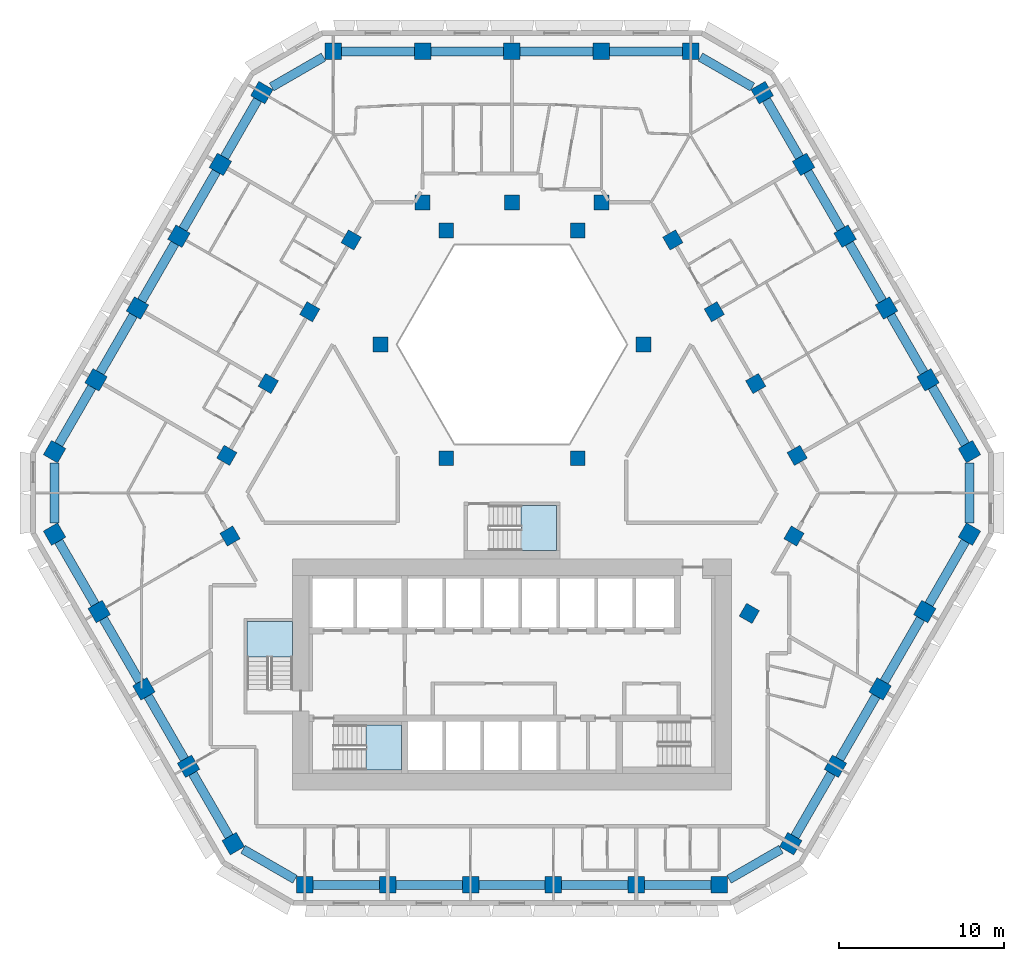
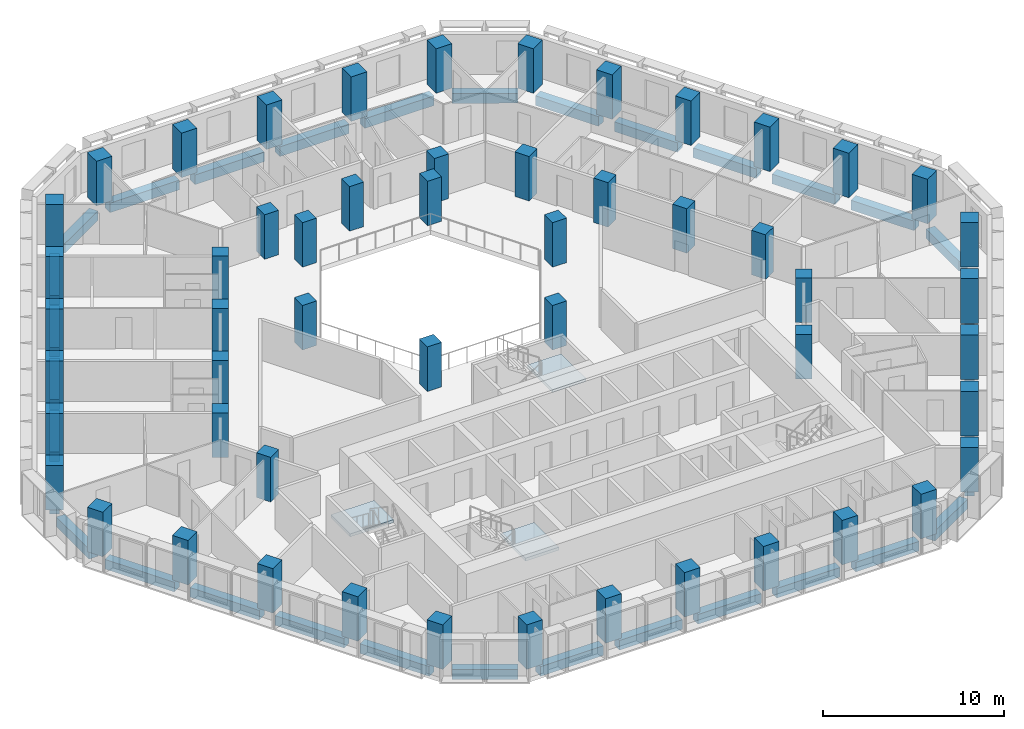
# One storey, part 1 of 15: 53 columns, 33 beams, 3 slabs, 3 elements without a shape of their own.
"""IFC4 building model written with IfcOpenShell, lengths in metres."""

import ifcopenshell
import ifcopenshell.guid

model = None  # the IFC model being written
_history = None  # IfcOwnerHistory: only IFC2X3 demands one
_inside = {}  # id of a spatial element -> (the spatial element, [elements in it])
_under = {}  # id of a project, library or spatial element -> (it, [spatial elements below it])
_declared = {}  # id of a project -> (the project, [libraries it declares])
_typed = {}  # id of a type object -> (the type object, [elements of that type])
_made_of = {}  # id of a material, layer set ... -> (it, [elements and type objects made of it])


def new_model(schema):
    """Start an empty IFC model of exactly this schema.

    Asked for "IFC4X3", IfcOpenShell would pick the latest addendum, in which some entities
    have other attributes; the version numbers below select the first issue.
    IFC2X3 requires an IfcOwnerHistory on every rooted entity: one is made here for all.
    """
    global model, _history
    if schema == "IFC4X3":
        model = ifcopenshell.file(schema_version=(4, 3, 0, 0))
    else:
        model = ifcopenshell.file(schema=schema)
    _inside.clear()
    _under.clear()
    _declared.clear()
    _typed.clear()
    _made_of.clear()
    _history = None
    if model.schema == "IFC2X3":
        org = make("IfcOrganization", Name="unknown")
        user = make(
            "IfcPersonAndOrganization",
            ThePerson=make("IfcPerson", FamilyName="unknown"),
            TheOrganization=org,
        )
        app = make(
            "IfcApplication",
            ApplicationDeveloper=org,
            Version="unknown",
            ApplicationFullName="unknown",
            ApplicationIdentifier="unknown",
        )
        _history = make(
            "IfcOwnerHistory",
            OwningUser=user,
            OwningApplication=app,
            ChangeAction="ADDED",
            CreationDate=0,
        )
    return model


def make(cls, **values):
    """One entity of the class cls with the attributes given. An attribute that is None is left unset."""
    return model.create_entity(
        cls, **{name: value for name, value in values.items() if value is not None}
    )


def rooted(cls, **values):
    """An entity with a GlobalId (a new one), such as an element, a storey or a relation."""
    return make(cls, GlobalId=ifcopenshell.guid.new(), OwnerHistory=_history, **values)


def si_unit(unit_type, name, prefix=None):
    """IfcSIUnit, for example si_unit("LENGTHUNIT", "METRE", prefix="MILLI")."""
    return make("IfcSIUnit", UnitType=unit_type, Prefix=prefix, Name=name)


def assignment(units):
    """IfcUnitAssignment: the units of a project."""
    return None if units is None else make("IfcUnitAssignment", Units=units)


def point(xyz):
    """IfcCartesianPoint."""
    return None if xyz is None else make("IfcCartesianPoint", Coordinates=xyz)


def direction(xyz):
    """IfcDirection."""
    return None if xyz is None else make("IfcDirection", DirectionRatios=xyz)


def frame(location, z_axis=None, x_axis=None):
    """IfcAxis2Placement3D, a coordinate frame: its origin and axes. An axis left out is left unset."""
    return make(
        "IfcAxis2Placement3D",
        Location=point(location),
        Axis=direction(z_axis),
        RefDirection=direction(x_axis),
    )


def frame_2d(location, x_axis=None):
    """IfcAxis2Placement2D, a coordinate frame in the plane: its origin and x axis."""
    return make(
        "IfcAxis2Placement2D", Location=point(location), RefDirection=direction(x_axis)
    )


def origin():
    """The frame at (0, 0, 0) with its axes left unset."""
    return frame((0.0, 0.0, 0.0))


def origin_2d():
    """The frame at (0, 0) in the plane with its x axis left unset."""
    return frame_2d((0.0, 0.0))


def place(relative_to, where):
    """IfcLocalPlacement: puts the frame where relative to a parent placement (None: the world)."""
    return make(
        "IfcLocalPlacement", PlacementRelTo=relative_to, RelativePlacement=where
    )


def context(
    kind, dimensions, precision=None, world=None, true_north=None, identifier=None
):
    """IfcGeometricRepresentationContext, for example the 3D "Model" context."""
    return make(
        "IfcGeometricRepresentationContext",
        ContextIdentifier=identifier,
        ContextType=kind,
        CoordinateSpaceDimension=dimensions,
        Precision=precision,
        WorldCoordinateSystem=world,
        TrueNorth=true_north,
    )


def subcontext(parent, identifier, kind, view, scale=None):
    """IfcGeometricRepresentationSubContext, for example "Body" below "Model"."""
    return make(
        "IfcGeometricRepresentationSubContext",
        ContextIdentifier=identifier,
        ContextType=kind,
        ParentContext=parent,
        TargetScale=scale,
        TargetView=view,
    )


def project(units=None, contexts=None):
    """IfcProject with its units and contexts."""
    return rooted(
        "IfcProject",
        Name="project",
        RepresentationContexts=contexts,
        UnitsInContext=assignment(units),
    )


def spatial(cls, under=None, at=None, **own):
    """A site, building, storey or space (cls), placed at a placement, below another one or the project."""
    s = rooted(cls, ObjectPlacement=at, **own)
    if under is not None:
        _under.setdefault(under.id(), (under, []))[1].append(s)
    return s


def polyline(points):
    """IfcPolyline through the points."""
    return make("IfcPolyline", Points=[point(p) for p in points])


def profile(cls, at=None, kind="AREA", **sizes):
    """A parametric profile (cls). Its sizes go by their IFC names, for example OverallWidth=200.0."""
    return make(cls, ProfileType=kind, Position=at, **sizes)


def rectangle(**sizes):
    """IfcRectangleProfileDef."""
    return profile("IfcRectangleProfileDef", **sizes)


def outline(outer, holes=None, kind="AREA"):
    """IfcArbitraryClosedProfileDef: a profile drawn as a closed curve; with holes, ...WithVoids."""
    if holes is None:
        return make("IfcArbitraryClosedProfileDef", ProfileType=kind, OuterCurve=outer)
    return make(
        "IfcArbitraryProfileDefWithVoids",
        ProfileType=kind,
        OuterCurve=outer,
        InnerCurves=holes,
    )


def extrude(swept, where, along, depth):
    """IfcExtrudedAreaSolid: the profile swept, set in the frame where, extruded along a direction by depth."""
    return make(
        "IfcExtrudedAreaSolid",
        SweptArea=swept,
        Position=where,
        ExtrudedDirection=direction(along),
        Depth=depth,
    )


def shape(context_of_items, identifier, shape_type, items):
    """IfcShapeRepresentation: the items that make up one representation, for example the "Body"."""
    return make(
        "IfcShapeRepresentation",
        ContextOfItems=context_of_items,
        RepresentationIdentifier=identifier,
        RepresentationType=shape_type,
        Items=items,
    )


def material(Name=None, Category=None):
    """IfcMaterial."""
    return make("IfcMaterial", Name=Name, Category=Category)


def layer(
    of_material, thickness, ventilated=None, Name=None, Category=None, Priority=None
):
    """IfcMaterialLayer: one layer of a wall or slab, of a material (None: an air gap)."""
    return make(
        "IfcMaterialLayer",
        Material=of_material,
        LayerThickness=thickness,
        IsVentilated=ventilated,
        Name=Name,
        Category=Category,
        Priority=Priority,
    )


def layer_set(layers, Name=None):
    """IfcMaterialLayerSet."""
    return make("IfcMaterialLayerSet", MaterialLayers=layers, LayerSetName=Name)


def material_profile(
    of_material, cross_section, Name=None, Category=None, Priority=None
):
    """IfcMaterialProfile: a cross section and its material."""
    return make(
        "IfcMaterialProfile",
        Name=Name,
        Material=of_material,
        Profile=cross_section,
        Priority=Priority,
        Category=Category,
    )


def profile_set(profiles, Name=None, composite=None):
    """IfcMaterialProfileSet."""
    return make(
        "IfcMaterialProfileSet",
        Name=Name,
        MaterialProfiles=profiles,
        CompositeProfile=composite,
    )


def made_of(thing, what):
    """Note that an element or type object is made of a material, layer set ...; save() writes the relation."""
    if what is not None:
        _made_of.setdefault(what.id(), (what, []))[1].append(thing)
    return thing


def type_object(cls, material=None, **own):
    """A type object (cls), such as IfcWallType, which elements share."""
    return made_of(rooted(cls, **own), material)


def element(
    cls,
    number,
    at=None,
    inside=None,
    cuts=None,
    type_object=None,
    material=None,
    context=None,
    identifier="Body",
    shape_type=None,
    held_by="IfcProductDefinitionShape",
    body=None,
    shapes=None,
    **own,
):
    """One element of the class cls, such as IfcWall. Its Tag is "e" and its number.

    at: its placement. inside: the storey or other place that contains it. cuts: it is an
    opening in that element (IfcRelVoidsElement). A single representation is given by context,
    identifier, shape_type and body (its items); several are given by shapes. held_by: the class
    of the entity that holds the representations. save() writes the other relations.
    """
    e = rooted(cls, Tag="e%d" % number, ObjectPlacement=at, **own)
    if body is not None:
        shapes = [shape(context, identifier, shape_type, body)]
    if shapes is not None:
        e.Representation = make(held_by, Representations=shapes)
    if inside is not None:
        _inside.setdefault(inside.id(), (inside, []))[1].append(e)
    if cuts is not None:
        rooted(
            "IfcRelVoidsElement", RelatingBuildingElement=cuts, RelatedOpeningElement=e
        )
    if type_object is not None:
        _typed.setdefault(type_object.id(), (type_object, []))[1].append(e)
    return made_of(e, material)


def aggregate(whole, parts):
    """IfcRelAggregates: a whole, such as a stair, and the parts it consists of."""
    return rooted("IfcRelAggregates", RelatingObject=whole, RelatedObjects=parts)


def save(model, path):
    """Write the relations noted so far, then the file.

    IfcRelAggregates (storeys below a building ...), IfcRelContainedInSpatialStructure (elements
    in a storey), IfcRelDefinesByType, IfcRelAssociatesMaterial and IfcRelDeclares: one each for
    every whole, place, type object, material and project.
    """
    for whole, parts in _under.values():
        aggregate(whole, parts)
    for where, things in _inside.values():
        rooted(
            "IfcRelContainedInSpatialStructure",
            RelatedElements=things,
            RelatingStructure=where,
        )
    for kind, things in _typed.values():
        rooted("IfcRelDefinesByType", RelatedObjects=things, RelatingType=kind)
    for what, things in _made_of.values():
        rooted("IfcRelAssociatesMaterial", RelatedObjects=things, RelatingMaterial=what)
    for by, libraries in _declared.values():
        rooted("IfcRelDeclares", RelatingContext=by, RelatedDefinitions=libraries)
    model.write(path)


model = new_model("IFC4")

# Units and contexts
model_context = context("Model", 3, precision=1e-05, world=origin(), true_north=direction((0.0, 1.0)))
body_context = subcontext(model_context, "Body", "Model", "MODEL_VIEW")
ifc_project = project(units=[si_unit("LENGTHUNIT", "METRE"), si_unit("AREAUNIT", "SQUARE_METRE"), si_unit("VOLUMEUNIT", "CUBIC_METRE"), si_unit("PLANEANGLEUNIT", "RADIAN"), si_unit("MASSUNIT", "GRAM", prefix="KILO")], contexts=[model_context])

# Site, building, storey
site_placement = place(None, origin())
site = spatial("IfcSite", under=ifc_project, at=site_placement, CompositionType="ELEMENT")
building_placement = place(site_placement, origin())
building = spatial("IfcBuilding", under=site, at=building_placement, Name="Beryl Residences", CompositionType="ELEMENT")
storey_placement = place(building_placement, frame((0.0, 0.0, 84.0)))
storey = spatial("IfcBuildingStorey", under=building, at=storey_placement, Name="L25", CompositionType="ELEMENT", Elevation=84.0)

# Columns
ifc_material_1 = material(Name="Concrete C70/85", Category="concrete")
ifc_material_profile_1 = material_profile(ifc_material_1, rectangle(XDim=1.0, YDim=1.0, at=origin_2d()))
ifc_profile_set_1 = profile_set([ifc_material_profile_1], Name="Concrete C70/85")
column_type_1 = type_object("IfcColumnType", Name="C2 tube column 1000 x 1000 C70/85", PredefinedType="COLUMN", material=ifc_profile_set_1)
for number, where, z_axis, x_axis, name in (
    (1, (10.824951171875, 25.75, 0.0), (0.0, 0.0, 1.0), (-1.0, 0.0, 0.0), "C2-N1 L25"),
    (2, (5.412109375, 25.75, 0.0), (0.0, 0.0, 1.0), (-1.0, 0.0, 0.0), "C2-N2 L25"),
    (3, (-0.0009765625, 25.75, 0.0), (0.0, 0.0, 1.0), (-1.0, 0.0, 0.0), "C2-N3 L25"),
    (4, (-5.4140625, 25.75, 0.0), (0.0, 0.0, 1.0), (-1.0, 0.0, 0.0), "C2-N4 L25"),
    (5, (-10.826904296875, 25.75, 0.0), (0.0, 0.0, 1.0), (-1.0, 0.0, 0.0), "C2-N5 L25"),
    (6, (-15.155029296875, 23.2509765625, 0.0), (0.0, 0.0, 1.0), (-0.5, -0.866025403784, 0.0), "C2-NW1 L25"),
    (7, (-17.6669921875, 18.89990234375, 0.0), (0.0, 0.0, 1.0), (-0.5, -0.866025403784, 0.0), "C2-NW2 L25"),
    (8, (-20.177978515625, 14.550048828125, 0.0), (0.0, 0.0, 1.0), (-0.5, -0.866025403784, 0.0), "C2-NW3 L25"),
    (9, (-22.68994140625, 10.199951171875, 0.0), (0.0, 0.0, 1.0), (-0.5, -0.866025403784, 0.0), "C2-NW4 L25"),
    (10, (-25.201904296875, 5.85009765625, 0.0), (0.0, 0.0, 1.0), (-0.5, -0.866025403784, 0.0), "C2-NW5 L25"),
    (11, (-27.712890625, 1.5, 0.0), (0.0, 0.0, 1.0), (-0.5, -0.866025403784, 0.0), "C2-NW6 L25"),
    (12, (-27.714111328125, -3.4990234375, 0.0), (0.0, 0.0, 1.0), (0.5, -0.866025403784, 0.0), "C2-SW1 L25"),
    (13, (-25.007080078125, -8.18701171875, 0.0), (0.0, 0.0, 1.0), (0.5, -0.866025403784, 0.0), "C2-SW2 L25"),
    (14, (-22.300048828125, -12.875, 0.0), (0.0, 0.0, 1.0), (0.5, -0.866025403784, 0.0), "C2-SW3 L25"),
    (15, (-19.593994140625, -17.56298828125, 0.0), (0.0, 0.0, 1.0), (0.5, -0.866025403784, 0.0), "C2-SW4 L25"),
    (16, (-16.886962890625, -22.2509765625, 0.0), (0.0, 0.0, 1.0), (0.5, -0.866025403784, 0.0), "C2-SW5 L25"),
    (17, (-12.556884765625, -24.75, 0.0), (0.0, 0.0, 1.0), (1.0, 0.0, 0.0), "C2-S1 L25"),
    (18, (-7.533935546875, -24.75, 0.0), (0.0, 0.0, 1.0), (1.0, 0.0, 0.0), "C2-S2 L25"),
    (19, (-2.510986328125, -24.75, 0.0), (0.0, 0.0, 1.0), (1.0, 0.0, 0.0), "C2-S3 L25"),
    (20, (2.511962890625, -24.75, 0.0), (0.0, 0.0, 1.0), (1.0, 0.0, 0.0), "C2-S4 L25"),
    (21, (7.534912109375, -24.75, 0.0), (0.0, 0.0, 1.0), (1.0, 0.0, 0.0), "C2-S5 L25"),
    (22, (12.55810546875, -24.75, 0.0), (0.0, 0.0, 1.0), (1.0, 0.0, 0.0), "C2-S6 L25"),
    (23, (16.886962890625, -22.2509765625, 0.0), (0.0, 0.0, 1.0), (0.5, 0.866025403784, 0.0), "C2-SE1 L25"),
    (24, (19.593994140625, -17.56298828125, 0.0), (0.0, 0.0, 1.0), (0.5, 0.866025403784, 0.0), "C2-SE2 L25"),
    (25, (22.300048828125, -12.875, 0.0), (0.0, 0.0, 1.0), (0.5, 0.866025403784, 0.0), "C2-SE3 L25"),
    (26, (25.007080078125, -8.18701171875, 0.0), (0.0, 0.0, 1.0), (0.5, 0.866025403784, 0.0), "C2-SE4 L25"),
    (27, (27.714111328125, -3.4990234375, 0.0), (0.0, 0.0, 1.0), (0.5, 0.866025403784, 0.0), "C2-SE5 L25"),
    (28, (27.714111328125, 1.4990234375, 0.0), (0.0, 0.0, 1.0), (-0.5, 0.866025403784, 0.0), "C2-NE1 L25"),
    (29, (25.201904296875, 5.85009765625, 0.0), (0.0, 0.0, 1.0), (-0.5, 0.866025403784, 0.0), "C2-NE2 L25"),
    (30, (22.68994140625, 10.199951171875, 0.0), (0.0, 0.0, 1.0), (-0.5, 0.866025403784, 0.0), "C2-NE3 L25"),
    (31, (20.178955078125, 14.550048828125, 0.0), (0.0, 0.0, 1.0), (-0.5, 0.866025403784, 0.0), "C2-NE4 L25"),
    (32, (17.6669921875, 18.89990234375, 0.0), (0.0, 0.0, 1.0), (-0.5, 0.866025403784, 0.0), "C2-NE5 L25"),
    (33, (15.156005859375, 23.25, 0.0), (0.0, 0.0, 1.0), (-0.5, 0.866025403784, 0.0), "C2-NE6 L25"),
):
    element("IfcColumn", number, at=place(storey_placement, frame(where, z_axis=z_axis, x_axis=x_axis)), inside=storey, type_object=column_type_1, Name=name, PredefinedType="COLUMN", context=body_context, shape_type="SweptSolid", body=[
        extrude(rectangle(XDim=1.0, YDim=1.0, at=origin_2d()), origin(), (0.0, 0.0, 1.0), 3.0),
    ])
ifc_material_2 = material(Name="Concrete C70/85", Category="concrete")
ifc_material_profile_2 = material_profile(ifc_material_2, rectangle(XDim=0.89990234375, YDim=0.89990234375, at=origin_2d()))
ifc_profile_set_2 = profile_set([ifc_material_profile_2], Name="Concrete C70/85")
column_type_2 = type_object("IfcColumnType", Name="IC2 interior column 900 x 900 C70/85", PredefinedType="COLUMN", material=ifc_profile_set_2)
for number, where, z_axis, x_axis, name in (
    (34, (-17.0830078125, -3.612060546875, 0.0), (0.0, 0.0, 1.0), (0.5, -0.866025403784, 0.0), "IC2-M01 L25"),
    (35, (14.3759765625, -8.300048828125, 0.0), (0.0, 0.0, 1.0), (0.5, 0.866025403784, 0.0), "IC2-M02 L25"),
    (36, (17.0830078125, -3.612060546875, 0.0), (0.0, 0.0, 1.0), (0.5, 0.866025403784, 0.0), "IC2-M03 L25"),
    (37, (17.278076171875, 1.27392578125, 0.0), (0.0, 0.0, 1.0), (-0.5, 0.866025403784, 0.0), "IC2-M04 L25"),
    (38, (3.98388671875, 1.10009765625, 0.0), (0.0, 0.0, 1.0), (1.0, 0.0, 0.0), "IC2-A05 L25"),
    (39, (14.76611328125, 5.625, 0.0), (0.0, 0.0, 1.0), (-0.5, 0.866025403784, 0.0), "IC2-M06 L25"),
    (40, (12.2548828125, 9.97509765625, 0.0), (0.0, 0.0, 1.0), (-0.5, 0.866025403784, 0.0), "IC2-M07 L25"),
    (41, (7.967041015625, 8.0, 0.0), (0.0, 0.0, 1.0), (1.0, 0.0, 0.0), "IC2-A08 L25"),
    (42, (9.742919921875, 14.324951171875, 0.0), (0.0, 0.0, 1.0), (-0.5, 0.866025403784, 0.0), "IC2-M09 L25"),
    (43, (5.412109375, 16.60009765625, 0.0), (0.0, 0.0, 1.0), (-1.0, 0.0, 0.0), "IC2-M10 L25"),
    (44, (3.98388671875, 14.89990234375, 0.0), (0.0, 0.0, 1.0), (1.0, 0.0, 0.0), "IC2-A11 L25"),
    (45, (-0.0009765625, 16.60009765625, 0.0), (0.0, 0.0, 1.0), (-1.0, 0.0, 0.0), "IC2-M12 L25"),
    (46, (-3.98388671875, 14.89990234375, 0.0), (0.0, 0.0, 1.0), (1.0, 0.0, 0.0), "IC2-A13 L25"),
    (47, (-5.4140625, 16.60009765625, 0.0), (0.0, 0.0, 1.0), (-1.0, 0.0, 0.0), "IC2-M14 L25"),
    (48, (-9.742919921875, 14.324951171875, 0.0), (0.0, 0.0, 1.0), (-0.5, -0.866025403784, 0.0), "IC2-M15 L25"),
    (49, (-7.967041015625, 8.0, 0.0), (0.0, 0.0, 1.0), (1.0, 0.0, 0.0), "IC2-A16 L25"),
    (50, (-12.25390625, 9.97509765625, 0.0), (0.0, 0.0, 1.0), (-0.5, -0.866025403784, 0.0), "IC2-M17 L25"),
    (51, (-14.76611328125, 5.625, 0.0), (0.0, 0.0, 1.0), (-0.5, -0.866025403784, 0.0), "IC2-M18 L25"),
    (52, (-3.98388671875, 1.10009765625, 0.0), (0.0, 0.0, 1.0), (1.0, 0.0, 0.0), "IC2-A19 L25"),
    (53, (-17.277099609375, 1.27490234375, 0.0), (0.0, 0.0, 1.0), (-0.5, -0.866025403784, 0.0), "IC2-M20 L25"),
):
    element("IfcColumn", number, at=place(storey_placement, frame(where, z_axis=z_axis, x_axis=x_axis)), inside=storey, type_object=column_type_2, Name=name, PredefinedType="COLUMN", context=body_context, shape_type="SweptSolid", body=[
        extrude(rectangle(XDim=0.89990234375, YDim=0.89990234375, at=origin_2d()), origin(), (0.0, 0.0, 1.0), 3.0),
    ])

# Beams
ifc_material_3 = material(Name="Concrete C70/85", Category="concrete")
ifc_material_profile_3 = material_profile(ifc_material_3, rectangle(XDim=0.550048828125, YDim=0.64990234375, at=origin_2d()))
ifc_profile_set_3 = profile_set([ifc_material_profile_3], Name="Concrete C70/85")
beam_type = type_object("IfcBeamType", Name="SB2 spandrel beam 550 x 650 C70/85", PredefinedType="SPANDREL", material=ifc_profile_set_3)
beam_1_placement = place(storey_placement, frame((10.324951171875, 25.75, -0.625), z_axis=(-1.0, 0.0, 0.0), x_axis=(0.0, -1.0, 0.0)))
element("IfcBeam", 54, at=beam_1_placement, inside=storey, type_object=beam_type, Name="SB2 L25 N-0", PredefinedType="SPANDREL", context=body_context, shape_type="SweptSolid", body=[
    extrude(rectangle(XDim=0.550048828125, YDim=0.64990234375, at=origin_2d()), origin(), (0.0, 0.0, 1.0), 4.412841796875),
])
for number, where, z_axis, x_axis, name in (
    (55, (4.912109375, 25.75, -0.625), (-1.0, 0.0, 0.0), (0.0, -1.0, 0.0), "SB2 L25 N-1"),
    (56, (-0.5009765625, 25.75, -0.625), (-1.0, 0.0, 0.0), (0.0, -1.0, 0.0), "SB2 L25 N-2"),
):
    element("IfcBeam", number, at=place(storey_placement, frame(where, z_axis=z_axis, x_axis=x_axis)), inside=storey, type_object=beam_type, Name=name, PredefinedType="SPANDREL", context=body_context, shape_type="SweptSolid", body=[
        extrude(rectangle(XDim=0.550048828125, YDim=0.64990234375, at=origin_2d()), origin(), (0.0, 0.0, 1.0), 4.4130859375),
    ])
beam_2_placement = place(storey_placement, frame((-5.9140625, 25.75, -0.625), z_axis=(-1.0, 0.0, 0.0), x_axis=(0.0, -1.0, 0.0)))
element("IfcBeam", 57, at=beam_2_placement, inside=storey, type_object=beam_type, Name="SB2 L25 N-3", PredefinedType="SPANDREL", context=body_context, shape_type="SweptSolid", body=[
    extrude(rectangle(XDim=0.550048828125, YDim=0.64990234375, at=origin_2d()), origin(), (0.0, 0.0, 1.0), 4.412841796875),
])
beam_3_placement = place(storey_placement, frame((-11.41796875, 25.408935546875, -0.625), z_axis=(-0.865959503272, -0.500114125668, 0.0), x_axis=(0.500114125668, -0.865959503272, 0.0)))
element("IfcBeam", 58, at=beam_3_placement, inside=storey, type_object=beam_type, Name="SB2 L25 N-4", PredefinedType="SPANDREL", context=body_context, shape_type="SweptSolid", body=[
    extrude(rectangle(XDim=0.550048828125, YDim=0.64990234375, at=origin_2d()), origin(), (0.0, 0.0, 1.0), 3.633056640625),
])
beam_4_placement = place(storey_placement, frame((-15.405029296875, 22.818115234375, -0.625), z_axis=(-0.49996928203, -0.866043138087, 0.0), x_axis=(0.866043138087, -0.49996928203, 0.0)))
element("IfcBeam", 59, at=beam_4_placement, inside=storey, type_object=beam_type, Name="SB2 L25 NW-0", PredefinedType="SPANDREL", context=body_context, shape_type="SweptSolid", body=[
    extrude(rectangle(XDim=0.550048828125, YDim=0.64990234375, at=origin_2d()), origin(), (0.0, 0.0, 1.0), 4.024169921875),
])
beam_5_placement = place(storey_placement, frame((-17.9169921875, 18.467041015625, -0.625), z_axis=(-0.499892318183, -0.866087564985, 0.0), x_axis=(0.866087564985, -0.499892318183, 0.0)))
element("IfcBeam", 60, at=beam_5_placement, inside=storey, type_object=beam_type, Name="SB2 L25 NW-1", PredefinedType="SPANDREL", context=body_context, shape_type="SweptSolid", body=[
    extrude(rectangle(XDim=0.550048828125, YDim=0.64990234375, at=origin_2d()), origin(), (0.0, 0.0, 1.0), 4.02294921875),
])
beam_6_placement = place(storey_placement, frame((-20.427978515625, 14.116943359375, -0.625), z_axis=(-0.500100656611, -0.865967281863, 0.0), x_axis=(0.865967281863, -0.500100656611, 0.0)))
element("IfcBeam", 61, at=beam_6_placement, inside=storey, type_object=beam_type, Name="SB2 L25 NW-2", PredefinedType="SPANDREL", context=body_context, shape_type="SweptSolid", body=[
    extrude(rectangle(XDim=0.550048828125, YDim=0.64990234375, at=origin_2d()), origin(), (0.0, 0.0, 1.0), 4.023193359375),
])
beam_7_placement = place(storey_placement, frame((-22.93994140625, 9.76708984375, -0.625), z_axis=(-0.500074377092, -0.865982457891, 0.0), x_axis=(0.865982457891, -0.500074377092, 0.0)))
element("IfcBeam", 62, at=beam_7_placement, inside=storey, type_object=beam_type, Name="SB2 L25 NW-3", PredefinedType="SPANDREL", context=body_context, shape_type="SweptSolid", body=[
    extrude(rectangle(XDim=0.550048828125, YDim=0.64990234375, at=origin_2d()), origin(), (0.0, 0.0, 1.0), 4.0234375),
])
beam_8_placement = place(storey_placement, frame((-25.451904296875, 5.4169921875, -0.625), z_axis=(-0.499918594511, -0.866072398164, 0.0), x_axis=(0.866072398164, -0.499918594511, 0.0)))
element("IfcBeam", 63, at=beam_8_placement, inside=storey, type_object=beam_type, Name="SB2 L25 NW-4", PredefinedType="SPANDREL", context=body_context, shape_type="SweptSolid", body=[
    extrude(rectangle(XDim=0.550048828125, YDim=0.64990234375, at=origin_2d()), origin(), (0.0, 0.0, 1.0), 4.022705078125),
])
beam_9_placement = place(storey_placement, frame((-27.712890625, 0.81689453125, -0.625), z_axis=(-0.000336021486, -0.999999943545, 0.0), x_axis=(0.999999943545, -0.000336021486, 0.0)))
element("IfcBeam", 64, at=beam_9_placement, inside=storey, type_object=beam_type, Name="SB2 L25 NW-5", PredefinedType="SPANDREL", context=body_context, shape_type="SweptSolid", body=[
    extrude(rectangle(XDim=0.550048828125, YDim=0.64990234375, at=origin_2d()), origin(), (0.0, 0.0, 1.0), 3.6328125),
])
beam_10_placement = place(storey_placement, frame((-27.464111328125, -3.931884765625, -0.625), z_axis=(0.50006561292, -0.865987518834, 0.0), x_axis=(0.865987518834, 0.50006561292, 0.0)))
element("IfcBeam", 65, at=beam_10_placement, inside=storey, type_object=beam_type, Name="SB2 L25 SW-0", PredefinedType="SPANDREL", context=body_context, shape_type="SweptSolid", body=[
    extrude(rectangle(XDim=0.550048828125, YDim=0.64990234375, at=origin_2d()), origin(), (0.0, 0.0, 1.0), 4.41357421875),
])
beam_11_placement = place(storey_placement, frame((-24.757080078125, -8.6201171875, -0.625), z_axis=(0.500089568931, -0.865973684962, 0.0), x_axis=(0.865973684962, 0.500089568931, 0.0)))
element("IfcBeam", 66, at=beam_11_placement, inside=storey, type_object=beam_type, Name="SB2 L25 SW-1", PredefinedType="SPANDREL", context=body_context, shape_type="SweptSolid", body=[
    extrude(rectangle(XDim=0.550048828125, YDim=0.64990234375, at=origin_2d()), origin(), (0.0, 0.0, 1.0), 4.413330078125),
])
beam_12_placement = place(storey_placement, frame((-22.050048828125, -13.30810546875, -0.625), z_axis=(0.49992360228, -0.866069507536, 0.0), x_axis=(0.866069507536, 0.49992360228, 0.0)))
element("IfcBeam", 67, at=beam_12_placement, inside=storey, type_object=beam_type, Name="SB2 L25 SW-2", PredefinedType="SPANDREL", context=body_context, shape_type="SweptSolid", body=[
    extrude(rectangle(XDim=0.550048828125, YDim=0.64990234375, at=origin_2d()), origin(), (0.0, 0.0, 1.0), 4.412841796875),
])
beam_13_placement = place(storey_placement, frame((-19.343994140625, -17.99609375, -0.625), z_axis=(0.50006561292, -0.865987518834, 0.0), x_axis=(0.865987518834, 0.50006561292, 0.0)))
element("IfcBeam", 68, at=beam_13_placement, inside=storey, type_object=beam_type, Name="SB2 L25 SW-3", PredefinedType="SPANDREL", context=body_context, shape_type="SweptSolid", body=[
    extrude(rectangle(XDim=0.550048828125, YDim=0.64990234375, at=origin_2d()), origin(), (0.0, 0.0, 1.0), 4.41357421875),
])
beam_14_placement = place(storey_placement, frame((-16.2958984375, -22.592041015625, -0.625), z_axis=(0.866093873939, -0.499881387456, 0.0), x_axis=(0.499881387456, 0.866093873939, 0.0)))
element("IfcBeam", 69, at=beam_14_placement, inside=storey, type_object=beam_type, Name="SB2 L25 SW-4", PredefinedType="SPANDREL", context=body_context, shape_type="SweptSolid", body=[
    extrude(rectangle(XDim=0.550048828125, YDim=0.64990234375, at=origin_2d()), origin(), (0.0, 0.0, 1.0), 3.634765625),
])
for number, where, z_axis, x_axis, name in (
    (70, (-12.056884765625, -24.75, -0.625), (1.0, 0.0, 0.0), (0.0, 1.0, 0.0), "SB2 L25 S-0"),
    (71, (-7.033935546875, -24.75, -0.625), (1.0, 0.0, 0.0), (0.0, 1.0, 0.0), "SB2 L25 S-1"),
    (72, (-2.010986328125, -24.75, -0.625), (1.0, 0.0, 0.0), (0.0, 1.0, 0.0), "SB2 L25 S-2"),
    (73, (3.011962890625, -24.75, -0.625), (1.0, 0.0, 0.0), (0.0, 1.0, 0.0), "SB2 L25 S-3"),
):
    element("IfcBeam", number, at=place(storey_placement, frame(where, z_axis=z_axis, x_axis=x_axis)), inside=storey, type_object=beam_type, Name=name, PredefinedType="SPANDREL", context=body_context, shape_type="SweptSolid", body=[
        extrude(rectangle(XDim=0.550048828125, YDim=0.64990234375, at=origin_2d()), origin(), (0.0, 0.0, 1.0), 4.02294921875),
    ])
beam_15_placement = place(storey_placement, frame((8.034912109375, -24.75, -0.625), z_axis=(1.0, 0.0, 0.0), x_axis=(0.0, 1.0, 0.0)))
element("IfcBeam", 74, at=beam_15_placement, inside=storey, type_object=beam_type, Name="SB2 L25 S-4", PredefinedType="SPANDREL", context=body_context, shape_type="SweptSolid", body=[
    extrude(rectangle(XDim=0.550048828125, YDim=0.64990234375, at=origin_2d()), origin(), (0.0, 0.0, 1.0), 4.023193359375),
])
beam_16_placement = place(storey_placement, frame((13.14892578125, -24.408935546875, -0.625), z_axis=(0.866026712061, 0.499997733992, 0.0), x_axis=(-0.499997733992, 0.866026712061, 0.0)))
element("IfcBeam", 75, at=beam_16_placement, inside=storey, type_object=beam_type, Name="SB2 L25 S-5", PredefinedType="SPANDREL", context=body_context, shape_type="SweptSolid", body=[
    extrude(rectangle(XDim=0.550048828125, YDim=0.64990234375, at=origin_2d()), origin(), (0.0, 0.0, 1.0), 3.6337890625),
])
beam_17_placement = place(storey_placement, frame((17.136962890625, -21.818115234375, -0.625), z_axis=(0.50006561292, 0.865987518834, 0.0), x_axis=(-0.865987518834, 0.50006561292, 0.0)))
element("IfcBeam", 76, at=beam_17_placement, inside=storey, type_object=beam_type, Name="SB2 L25 SE-0", PredefinedType="SPANDREL", context=body_context, shape_type="SweptSolid", body=[
    extrude(rectangle(XDim=0.550048828125, YDim=0.64990234375, at=origin_2d()), origin(), (0.0, 0.0, 1.0), 4.41357421875),
])
beam_18_placement = place(storey_placement, frame((19.843994140625, -17.1298828125, -0.625), z_axis=(0.49992360228, 0.866069507536, 0.0), x_axis=(-0.866069507536, 0.49992360228, 0.0)))
element("IfcBeam", 77, at=beam_18_placement, inside=storey, type_object=beam_type, Name="SB2 L25 SE-1", PredefinedType="SPANDREL", context=body_context, shape_type="SweptSolid", body=[
    extrude(rectangle(XDim=0.550048828125, YDim=0.64990234375, at=origin_2d()), origin(), (0.0, 0.0, 1.0), 4.412841796875),
])
beam_19_placement = place(storey_placement, frame((22.550048828125, -12.44189453125, -0.625), z_axis=(0.500089568931, 0.865973684962, 0.0), x_axis=(-0.865973684962, 0.500089568931, 0.0)))
element("IfcBeam", 78, at=beam_19_placement, inside=storey, type_object=beam_type, Name="SB2 L25 SE-2", PredefinedType="SPANDREL", context=body_context, shape_type="SweptSolid", body=[
    extrude(rectangle(XDim=0.550048828125, YDim=0.64990234375, at=origin_2d()), origin(), (0.0, 0.0, 1.0), 4.413330078125),
])
beam_20_placement = place(storey_placement, frame((25.257080078125, -7.75390625, -0.625), z_axis=(0.50006561292, 0.865987518834, 0.0), x_axis=(-0.865987518834, 0.50006561292, 0.0)))
element("IfcBeam", 79, at=beam_20_placement, inside=storey, type_object=beam_type, Name="SB2 L25 SE-3", PredefinedType="SPANDREL", context=body_context, shape_type="SweptSolid", body=[
    extrude(rectangle(XDim=0.550048828125, YDim=0.64990234375, at=origin_2d()), origin(), (0.0, 0.0, 1.0), 4.41357421875),
])
beam_21_placement = place(storey_placement, frame((27.714111328125, -2.81591796875, -0.625), z_axis=(0.0, 1.0, 0.0), x_axis=(-1.0, 0.0, 0.0)))
element("IfcBeam", 80, at=beam_21_placement, inside=storey, type_object=beam_type, Name="SB2 L25 SE-4", PredefinedType="SPANDREL", context=body_context, shape_type="SweptSolid", body=[
    extrude(rectangle(XDim=0.550048828125, YDim=0.64990234375, at=origin_2d()), origin(), (0.0, 0.0, 1.0), 3.6318359375),
])
beam_22_placement = place(storey_placement, frame((27.464111328125, 1.931884765625, -0.625), z_axis=(-0.500014783214, 0.866016868524, 0.0), x_axis=(-0.866016868524, -0.500014783214, 0.0)))
element("IfcBeam", 81, at=beam_22_placement, inside=storey, type_object=beam_type, Name="SB2 L25 NE-0", PredefinedType="SPANDREL", context=body_context, shape_type="SweptSolid", body=[
    extrude(rectangle(XDim=0.550048828125, YDim=0.64990234375, at=origin_2d()), origin(), (0.0, 0.0, 1.0), 4.0244140625),
])
beam_23_placement = place(storey_placement, frame((24.951904296875, 6.282958984375, -0.625), z_axis=(-0.500074377092, 0.865982457891, 0.0), x_axis=(-0.865982457891, -0.500074377092, 0.0)))
element("IfcBeam", 82, at=beam_23_placement, inside=storey, type_object=beam_type, Name="SB2 L25 NE-1", PredefinedType="SPANDREL", context=body_context, shape_type="SweptSolid", body=[
    extrude(rectangle(XDim=0.550048828125, YDim=0.64990234375, at=origin_2d()), origin(), (0.0, 0.0, 1.0), 4.0234375),
])
beam_24_placement = place(storey_placement, frame((22.43994140625, 10.633056640625, -0.625), z_axis=(-0.499918594511, 0.866072398164, 0.0), x_axis=(-0.866072398164, -0.499918594511, 0.0)))
element("IfcBeam", 83, at=beam_24_placement, inside=storey, type_object=beam_type, Name="SB2 L25 NE-2", PredefinedType="SPANDREL", context=body_context, shape_type="SweptSolid", body=[
    extrude(rectangle(XDim=0.550048828125, YDim=0.64990234375, at=origin_2d()), origin(), (0.0, 0.0, 1.0), 4.022705078125),
])
beam_25_placement = place(storey_placement, frame((19.928955078125, 14.98291015625, -0.625), z_axis=(-0.500074377092, 0.865982457891, 0.0), x_axis=(-0.865982457891, -0.500074377092, 0.0)))
element("IfcBeam", 84, at=beam_25_placement, inside=storey, type_object=beam_type, Name="SB2 L25 NE-3", PredefinedType="SPANDREL", context=body_context, shape_type="SweptSolid", body=[
    extrude(rectangle(XDim=0.550048828125, YDim=0.64990234375, at=origin_2d()), origin(), (0.0, 0.0, 1.0), 4.0234375),
])
beam_26_placement = place(storey_placement, frame((17.4169921875, 19.3330078125, -0.625), z_axis=(-0.499918594511, 0.866072398164, 0.0), x_axis=(-0.866072398164, -0.499918594511, 0.0)))
element("IfcBeam", 85, at=beam_26_placement, inside=storey, type_object=beam_type, Name="SB2 L25 NE-4", PredefinedType="SPANDREL", context=body_context, shape_type="SweptSolid", body=[
    extrude(rectangle(XDim=0.550048828125, YDim=0.64990234375, at=origin_2d()), origin(), (0.0, 0.0, 1.0), 4.022705078125),
])
beam_27_placement = place(storey_placement, frame((14.56494140625, 23.591064453125, -0.625), z_axis=(-0.866044702259, 0.499966572571, 0.0), x_axis=(-0.499966572571, -0.866044702259, 0.0)))
element("IfcBeam", 86, at=beam_27_placement, inside=storey, type_object=beam_type, Name="SB2 L25 NE-5", PredefinedType="SPANDREL", context=body_context, shape_type="SweptSolid", body=[
    extrude(rectangle(XDim=0.550048828125, YDim=0.64990234375, at=origin_2d()), origin(), (0.0, 0.0, 1.0), 3.635986328125),
])

# Stair, slab
ifc_material_4 = material(Name="Concrete C40/50", Category="concrete")
stair_type = type_object("IfcStairType", Name="ST1 protected exit stair, half-turn, 1300 mm flights", PredefinedType="HALF_TURN_STAIR", material=ifc_material_4)
stair_1_placement = place(storey_placement, origin())
stair_1 = element("IfcStair", 87, at=stair_1_placement, inside=storey, type_object=stair_type, Name="L25 PROTECTED EXIT STAIR ST-1", PredefinedType="HALF_TURN_STAIR")
ifc_material_5 = material(Name="Concrete C40/50", Category="concrete")
ifc_layer = layer(ifc_material_5, 0.199951171875)
ifc_layer_set = layer_set([ifc_layer], Name="SLD1 stair landing 200 mm")
slab_type = type_object("IfcSlabType", Name="SLD1 stair landing 200 mm", PredefinedType="LANDING", material=ifc_layer_set)
slab_1_placement = place(storey_placement, frame((0.0, 0.0, 1.300048828125)))
slab_1 = element("IfcSlab", 88, at=slab_1_placement, type_object=slab_type, Name="ST-1 landing 1", PredefinedType="LANDING", context=body_context, shape_type="SweptSolid", body=[
    extrude(outline(polyline([(-8.840087890625, -17.800048828125), (-6.699951171875, -17.800048828125), (-6.699951171875, -15.050048828125), (-8.840087890625, -15.050048828125), (-8.840087890625, -17.800048828125)])), origin(), (0.0, 0.0, 1.0), 0.199951171875),
])
aggregate(stair_1, [slab_1])

stair_2_placement = place(storey_placement, origin())
stair_2 = element("IfcStair", 89, at=stair_2_placement, inside=storey, type_object=stair_type, Name="L25 PROTECTED EXIT STAIR ST-2", PredefinedType="HALF_TURN_STAIR")
slab_2_placement = place(storey_placement, frame((0.0, 0.0, 1.300048828125)))
slab_2 = element("IfcSlab", 90, at=slab_2_placement, type_object=slab_type, Name="ST-2 landing 1", PredefinedType="LANDING", context=body_context, shape_type="SweptSolid", body=[
    extrude(outline(polyline([(-13.300048828125, -10.93994140625), (-13.300048828125, -8.800048828125), (-16.050048828125, -8.800048828125), (-16.050048828125, -10.93994140625), (-13.300048828125, -10.93994140625)])), origin(), (0.0, 0.0, 1.0), 0.199951171875),
])
aggregate(stair_2, [slab_2])

stair_3_placement = place(storey_placement, origin())
stair_3 = element("IfcStair", 91, at=stair_3_placement, inside=storey, type_object=stair_type, Name="L25 PROTECTED EXIT STAIR ST-4", PredefinedType="HALF_TURN_STAIR")
slab_3_placement = place(storey_placement, frame((0.0, 0.0, 1.300048828125)))
slab_3 = element("IfcSlab", 92, at=slab_3_placement, type_object=slab_type, Name="ST-4 landing 1", PredefinedType="LANDING", context=body_context, shape_type="SweptSolid", body=[
    extrude(outline(polyline([(0.56005859375, -4.5), (2.699951171875, -4.5), (2.699951171875, -1.75), (0.56005859375, -1.75), (0.56005859375, -4.5)])), origin(), (0.0, 0.0, 1.0), 0.199951171875),
])
aggregate(stair_3, [slab_3])

save(model, "model.ifc")
